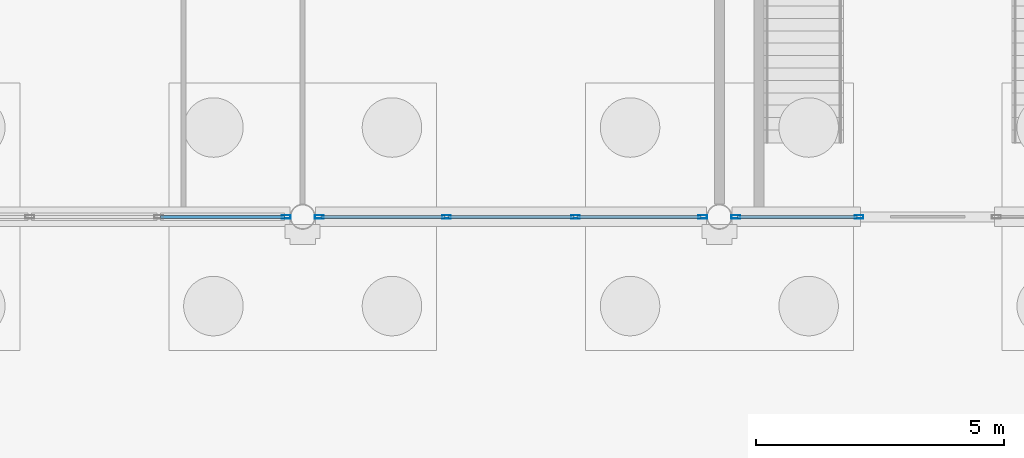
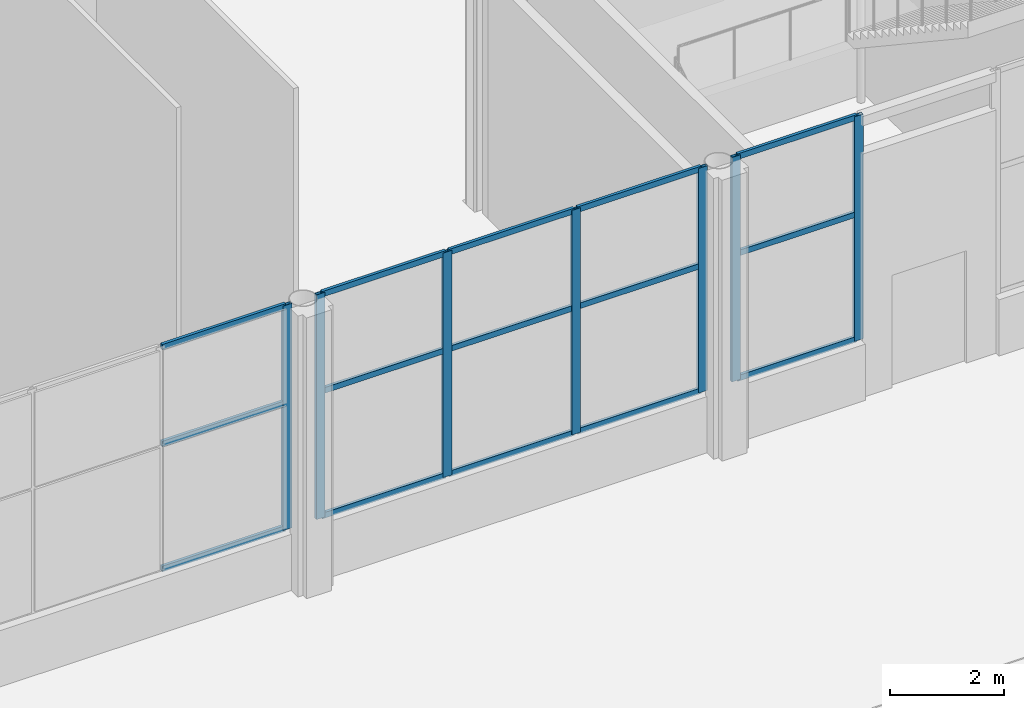
# One storey, part 96 of 212: 22 members, 3 elements without a shape of their own.
"""IFC4 building model written with IfcOpenShell, lengths in metres."""

from ifc_helpers import new_model, si_unit, direction, frame, origin, origin_2d, place, context, subcontext, project, spatial, hollow_rectangle, extrude, material, material_profile, profile_set, type_object, element, aggregate, save


model = new_model("IFC4")

# Units and contexts
model_context = context("Model", 3, precision=1e-05, world=origin(), true_north=direction((0.0, 1.0)))
body_context = subcontext(model_context, "Body", "Model", "MODEL_VIEW")
ifc_project = project(units=[si_unit("LENGTHUNIT", "METRE"), si_unit("AREAUNIT", "SQUARE_METRE"), si_unit("VOLUMEUNIT", "CUBIC_METRE"), si_unit("PLANEANGLEUNIT", "RADIAN"), si_unit("MASSUNIT", "GRAM", prefix="KILO")], contexts=[model_context])

# Site, building, storey
site_placement = place(None, origin())
site = spatial("IfcSite", under=ifc_project, at=site_placement, CompositionType="ELEMENT")
building_placement = place(site_placement, origin())
building = spatial("IfcBuilding", under=site, at=building_placement, Name="Catenary Quay Ferry Terminal", CompositionType="ELEMENT")
storey_placement = place(building_placement, origin())
storey = spatial("IfcBuildingStorey", under=building, at=storey_placement, Name="L00", CompositionType="ELEMENT", Elevation=0.0)

# Curtain wall, member
ifc_material_1 = material(Name="Aluminium and glass", Category="aluminium")
curtain_wall_type_1 = type_object("IfcCurtainWallType", Name="CWW4", PredefinedType="NOTDEFINED", material=ifc_material_1)
curtain_wall_1_placement = place(storey_placement, origin())
curtain_wall_1 = element("IfcCurtainWall", 1, at=curtain_wall_1_placement, inside=storey, type_object=curtain_wall_type_1, Name="Hall curtain wall CW24", PredefinedType="NOTDEFINED")
ifc_material_2 = material(Name="Aluminium", Category="aluminium")
ifc_material_profile_1 = material_profile(ifc_material_2, hollow_rectangle(XDim=0.070068359375, YDim=0.179931640625, WallThickness=0.006103515625, at=origin_2d()), Name="MU3")
ifc_profile_set_1 = profile_set([ifc_material_profile_1], Name="Aluminium")
member_type_1 = type_object("IfcMemberType", Name="MU3", PredefinedType="MULLION", material=ifc_profile_set_1)
member_1_placement = place(storey_placement, frame((50.06494140625, 67.199951171875, 1.199951171875), z_axis=(0.0, 0.0, 1.0), x_axis=(0.0, 1.0, 0.0)))
member_1 = element("IfcMember", 2, at=member_1_placement, type_object=member_type_1, Name="CW24 mullion 4", PredefinedType="MULLION", context=body_context, shape_type="SweptSolid", body=[
    extrude(hollow_rectangle(XDim=0.070068359375, YDim=0.179931640625, WallThickness=0.006103515625, at=origin_2d()), origin(), (0.0, 0.0, 1.0), 4.800048828125),
])

# Curtain wall, members
ifc_material_3 = material(Name="Aluminium and glass", Category="aluminium")
curtain_wall_type_2 = type_object("IfcCurtainWallType", Name="CWH", PredefinedType="NOTDEFINED", material=ifc_material_3)
curtain_wall_2_placement = place(storey_placement, origin())
curtain_wall_2 = element("IfcCurtainWall", 3, at=curtain_wall_2_placement, inside=storey, type_object=curtain_wall_type_2, Name="Hall curtain wall CW25", PredefinedType="NOTDEFINED")
member_2_placement = place(storey_placement, frame((50.735107421875, 67.199951171875, 1.199951171875), z_axis=(0.0, 0.0, 1.0), x_axis=(0.0, 1.0, 0.0)))
member_2 = element("IfcMember", 4, at=member_2_placement, type_object=member_type_1, Name="CW25 mullion 1", PredefinedType="MULLION", context=body_context, shape_type="SweptSolid", body=[
    extrude(hollow_rectangle(XDim=0.070068359375, YDim=0.179931640625, WallThickness=0.006103515625, at=origin_2d()), origin(), (0.0, 0.0, 1.0), 4.800048828125),
])
member_3_placement = place(storey_placement, frame((53.300048828125, 67.199951171875, 1.199951171875), z_axis=(0.0, 0.0, 1.0), x_axis=(0.0, 1.0, 0.0)))
member_3 = element("IfcMember", 5, at=member_3_placement, type_object=member_type_1, Name="CW25 mullion 2", PredefinedType="MULLION", context=body_context, shape_type="SweptSolid", body=[
    extrude(hollow_rectangle(XDim=0.070068359375, YDim=0.179931640625, WallThickness=0.006103515625, at=origin_2d()), origin(), (0.0, 0.0, 1.0), 4.800048828125),
])
member_4_placement = place(storey_placement, frame((55.89990234375, 67.199951171875, 1.199951171875), z_axis=(0.0, 0.0, 1.0), x_axis=(0.0, 1.0, 0.0)))
member_4 = element("IfcMember", 6, at=member_4_placement, type_object=member_type_1, Name="CW25 mullion 3", PredefinedType="MULLION", context=body_context, shape_type="SweptSolid", body=[
    extrude(hollow_rectangle(XDim=0.070068359375, YDim=0.179931640625, WallThickness=0.006103515625, at=origin_2d()), origin(), (0.0, 0.0, 1.0), 4.800048828125),
])
member_5_placement = place(storey_placement, frame((58.465087890625, 67.199951171875, 1.199951171875), z_axis=(0.0, 0.0, 1.0), x_axis=(0.0, 1.0, 0.0)))
member_5 = element("IfcMember", 7, at=member_5_placement, type_object=member_type_1, Name="CW25 mullion 4", PredefinedType="MULLION", context=body_context, shape_type="SweptSolid", body=[
    extrude(hollow_rectangle(XDim=0.070068359375, YDim=0.179931640625, WallThickness=0.006103515625, at=origin_2d()), origin(), (0.0, 0.0, 1.0), 4.800048828125),
])

curtain_wall_3_placement = place(storey_placement, origin())
curtain_wall_3 = element("IfcCurtainWall", 8, at=curtain_wall_3_placement, inside=storey, type_object=curtain_wall_type_2, Name="Hall curtain wall CW26", PredefinedType="NOTDEFINED")
member_6_placement = place(storey_placement, frame((59.135009765625, 67.199951171875, 1.199951171875), z_axis=(0.0, 0.0, 1.0), x_axis=(0.0, 1.0, 0.0)))
member_6 = element("IfcMember", 9, at=member_6_placement, type_object=member_type_1, Name="CW26 mullion 1", PredefinedType="MULLION", context=body_context, shape_type="SweptSolid", body=[
    extrude(hollow_rectangle(XDim=0.070068359375, YDim=0.179931640625, WallThickness=0.006103515625, at=origin_2d()), origin(), (0.0, 0.0, 1.0), 4.800048828125),
])
member_7_placement = place(storey_placement, frame((61.614990234375, 67.199951171875, 1.199951171875), z_axis=(0.0, 0.0, 1.0), x_axis=(0.0, 1.0, 0.0)))
member_7 = element("IfcMember", 10, at=member_7_placement, type_object=member_type_1, Name="CW26 mullion 2", PredefinedType="MULLION", context=body_context, shape_type="SweptSolid", body=[
    extrude(hollow_rectangle(XDim=0.070068359375, YDim=0.179931640625, WallThickness=0.006103515625, at=origin_2d()), origin(), (0.0, 0.0, 1.0), 4.800048828125),
])

# Member
ifc_material_4 = material(Name="Aluminium", Category="aluminium")
ifc_material_profile_2 = material_profile(ifc_material_4, hollow_rectangle(XDim=0.06005859375, YDim=0.1201171875, WallThickness=0.0048828125, at=origin_2d()), Name="TR3")
ifc_profile_set_2 = profile_set([ifc_material_profile_2], Name="Aluminium")
member_type_2 = type_object("IfcMemberType", Name="TR3", PredefinedType="USERDEFINED", material=ifc_profile_set_2)
member_8_placement = place(storey_placement, frame((47.534912109375, 67.199951171875, 1.22998046875), z_axis=(1.0, 0.0, 0.0), x_axis=(0.0, 1.0, 0.0)))
member_8 = element("IfcMember", 11, at=member_8_placement, type_object=member_type_2, Name="CW24 transom 3.1", ObjectType="TRANSOM", PredefinedType="USERDEFINED", context=body_context, shape_type="SweptSolid", body=[
    extrude(hollow_rectangle(XDim=0.06005859375, YDim=0.1201171875, WallThickness=0.0048828125, at=origin_2d()), origin(), (0.0, 0.0, 1.0), 2.4951171875),
])

member_9_placement = place(storey_placement, frame((47.534912109375, 67.199951171875, 3.89990234375), z_axis=(1.0, 0.0, 0.0), x_axis=(0.0, 1.0, 0.0)))
member_9 = element("IfcMember", 12, at=member_9_placement, type_object=member_type_2, Name="CW24 transom 3.2", ObjectType="TRANSOM", PredefinedType="USERDEFINED", context=body_context, shape_type="SweptSolid", body=[
    extrude(hollow_rectangle(XDim=0.06005859375, YDim=0.1201171875, WallThickness=0.0048828125, at=origin_2d()), origin(), (0.0, 0.0, 1.0), 2.4951171875),
])

member_10_placement = place(storey_placement, frame((47.534912109375, 67.199951171875, 5.969970703125), z_axis=(1.0, 0.0, 0.0), x_axis=(0.0, 1.0, 0.0)))
member_10 = element("IfcMember", 13, at=member_10_placement, type_object=member_type_2, Name="CW24 transom 3.3", ObjectType="TRANSOM", PredefinedType="USERDEFINED", context=body_context, shape_type="SweptSolid", body=[
    extrude(hollow_rectangle(XDim=0.06005859375, YDim=0.1201171875, WallThickness=0.0048828125, at=origin_2d()), origin(), (0.0, 0.0, 1.0), 2.4951171875),
])

aggregate(curtain_wall_1, [member_1, member_8, member_9, member_10])

member_11_placement = place(storey_placement, frame((50.77001953125, 67.199951171875, 1.22998046875), z_axis=(1.0, 0.0, 0.0), x_axis=(0.0, 1.0, 0.0)))
member_11 = element("IfcMember", 14, at=member_11_placement, type_object=member_type_2, Name="CW25 transom 1.1", ObjectType="TRANSOM", PredefinedType="USERDEFINED", context=body_context, shape_type="SweptSolid", body=[
    extrude(hollow_rectangle(XDim=0.06005859375, YDim=0.1201171875, WallThickness=0.0048828125, at=origin_2d()), origin(), (0.0, 0.0, 1.0), 2.494873046875),
])

member_12_placement = place(storey_placement, frame((50.77001953125, 67.199951171875, 3.89990234375), z_axis=(1.0, 0.0, 0.0), x_axis=(0.0, 1.0, 0.0)))
member_12 = element("IfcMember", 15, at=member_12_placement, type_object=member_type_2, Name="CW25 transom 1.2", ObjectType="TRANSOM", PredefinedType="USERDEFINED", context=body_context, shape_type="SweptSolid", body=[
    extrude(hollow_rectangle(XDim=0.06005859375, YDim=0.1201171875, WallThickness=0.0048828125, at=origin_2d()), origin(), (0.0, 0.0, 1.0), 2.494873046875),
])

member_13_placement = place(storey_placement, frame((50.77001953125, 67.199951171875, 5.969970703125), z_axis=(1.0, 0.0, 0.0), x_axis=(0.0, 1.0, 0.0)))
member_13 = element("IfcMember", 16, at=member_13_placement, type_object=member_type_2, Name="CW25 transom 1.3", ObjectType="TRANSOM", PredefinedType="USERDEFINED", context=body_context, shape_type="SweptSolid", body=[
    extrude(hollow_rectangle(XDim=0.06005859375, YDim=0.1201171875, WallThickness=0.0048828125, at=origin_2d()), origin(), (0.0, 0.0, 1.0), 2.494873046875),
])

member_14_placement = place(storey_placement, frame((53.3349609375, 67.199951171875, 1.22998046875), z_axis=(1.0, 0.0, 0.0), x_axis=(0.0, 1.0, 0.0)))
member_14 = element("IfcMember", 17, at=member_14_placement, type_object=member_type_2, Name="CW25 transom 2.1", ObjectType="TRANSOM", PredefinedType="USERDEFINED", context=body_context, shape_type="SweptSolid", body=[
    extrude(hollow_rectangle(XDim=0.06005859375, YDim=0.1201171875, WallThickness=0.0048828125, at=origin_2d()), origin(), (0.0, 0.0, 1.0), 2.530029296875),
])

member_15_placement = place(storey_placement, frame((53.3349609375, 67.199951171875, 3.89990234375), z_axis=(1.0, 0.0, 0.0), x_axis=(0.0, 1.0, 0.0)))
member_15 = element("IfcMember", 18, at=member_15_placement, type_object=member_type_2, Name="CW25 transom 2.2", ObjectType="TRANSOM", PredefinedType="USERDEFINED", context=body_context, shape_type="SweptSolid", body=[
    extrude(hollow_rectangle(XDim=0.06005859375, YDim=0.1201171875, WallThickness=0.0048828125, at=origin_2d()), origin(), (0.0, 0.0, 1.0), 2.530029296875),
])

member_16_placement = place(storey_placement, frame((53.3349609375, 67.199951171875, 5.969970703125), z_axis=(1.0, 0.0, 0.0), x_axis=(0.0, 1.0, 0.0)))
member_16 = element("IfcMember", 19, at=member_16_placement, type_object=member_type_2, Name="CW25 transom 2.3", ObjectType="TRANSOM", PredefinedType="USERDEFINED", context=body_context, shape_type="SweptSolid", body=[
    extrude(hollow_rectangle(XDim=0.06005859375, YDim=0.1201171875, WallThickness=0.0048828125, at=origin_2d()), origin(), (0.0, 0.0, 1.0), 2.530029296875),
])

member_17_placement = place(storey_placement, frame((55.93505859375, 67.199951171875, 1.22998046875), z_axis=(1.0, 0.0, 0.0), x_axis=(0.0, 1.0, 0.0)))
member_17 = element("IfcMember", 20, at=member_17_placement, type_object=member_type_2, Name="CW25 transom 3.1", ObjectType="TRANSOM", PredefinedType="USERDEFINED", context=body_context, shape_type="SweptSolid", body=[
    extrude(hollow_rectangle(XDim=0.06005859375, YDim=0.1201171875, WallThickness=0.0048828125, at=origin_2d()), origin(), (0.0, 0.0, 1.0), 2.494873046875),
])

member_18_placement = place(storey_placement, frame((55.93505859375, 67.199951171875, 3.89990234375), z_axis=(1.0, 0.0, 0.0), x_axis=(0.0, 1.0, 0.0)))
member_18 = element("IfcMember", 21, at=member_18_placement, type_object=member_type_2, Name="CW25 transom 3.2", ObjectType="TRANSOM", PredefinedType="USERDEFINED", context=body_context, shape_type="SweptSolid", body=[
    extrude(hollow_rectangle(XDim=0.06005859375, YDim=0.1201171875, WallThickness=0.0048828125, at=origin_2d()), origin(), (0.0, 0.0, 1.0), 2.494873046875),
])

member_19_placement = place(storey_placement, frame((55.93505859375, 67.199951171875, 5.969970703125), z_axis=(1.0, 0.0, 0.0), x_axis=(0.0, 1.0, 0.0)))
member_19 = element("IfcMember", 22, at=member_19_placement, type_object=member_type_2, Name="CW25 transom 3.3", ObjectType="TRANSOM", PredefinedType="USERDEFINED", context=body_context, shape_type="SweptSolid", body=[
    extrude(hollow_rectangle(XDim=0.06005859375, YDim=0.1201171875, WallThickness=0.0048828125, at=origin_2d()), origin(), (0.0, 0.0, 1.0), 2.494873046875),
])

aggregate(curtain_wall_2, [member_2, member_3, member_4, member_5, member_11, member_12, member_13, member_14, member_15, member_16, member_17, member_18, member_19])

member_20_placement = place(storey_placement, frame((59.169921875, 67.199951171875, 1.22998046875), z_axis=(1.0, 0.0, 0.0), x_axis=(0.0, 1.0, 0.0)))
member_20 = element("IfcMember", 23, at=member_20_placement, type_object=member_type_2, Name="CW26 transom 1.1", ObjectType="TRANSOM", PredefinedType="USERDEFINED", context=body_context, shape_type="SweptSolid", body=[
    extrude(hollow_rectangle(XDim=0.06005859375, YDim=0.1201171875, WallThickness=0.0048828125, at=origin_2d()), origin(), (0.0, 0.0, 1.0), 2.41015625),
])

member_21_placement = place(storey_placement, frame((59.169921875, 67.199951171875, 3.89990234375), z_axis=(1.0, 0.0, 0.0), x_axis=(0.0, 1.0, 0.0)))
member_21 = element("IfcMember", 24, at=member_21_placement, type_object=member_type_2, Name="CW26 transom 1.2", ObjectType="TRANSOM", PredefinedType="USERDEFINED", context=body_context, shape_type="SweptSolid", body=[
    extrude(hollow_rectangle(XDim=0.06005859375, YDim=0.1201171875, WallThickness=0.0048828125, at=origin_2d()), origin(), (0.0, 0.0, 1.0), 2.41015625),
])

member_22_placement = place(storey_placement, frame((59.169921875, 67.199951171875, 5.969970703125), z_axis=(1.0, 0.0, 0.0), x_axis=(0.0, 1.0, 0.0)))
member_22 = element("IfcMember", 25, at=member_22_placement, type_object=member_type_2, Name="CW26 transom 1.3", ObjectType="TRANSOM", PredefinedType="USERDEFINED", context=body_context, shape_type="SweptSolid", body=[
    extrude(hollow_rectangle(XDim=0.06005859375, YDim=0.1201171875, WallThickness=0.0048828125, at=origin_2d()), origin(), (0.0, 0.0, 1.0), 2.41015625),
])

aggregate(curtain_wall_3, [member_6, member_7, member_20, member_21, member_22])

save(model, "model.ifc")
